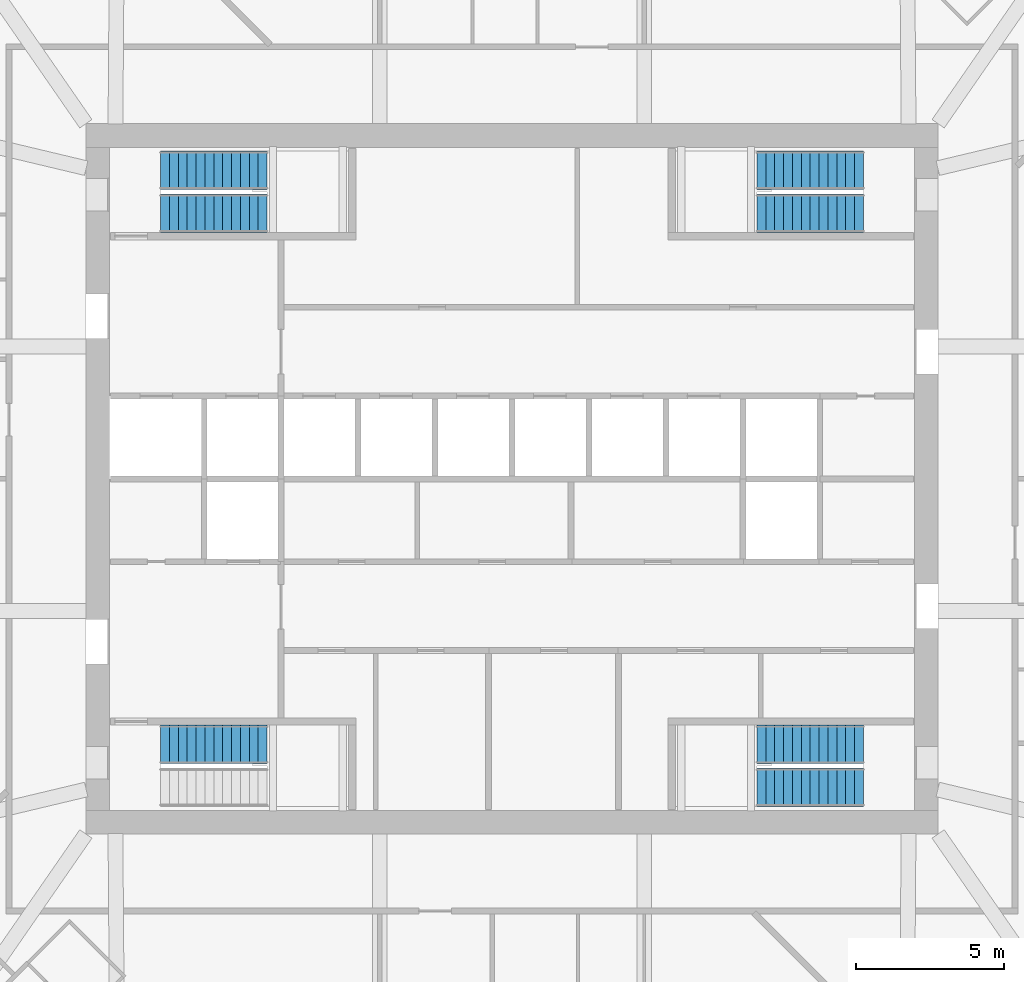
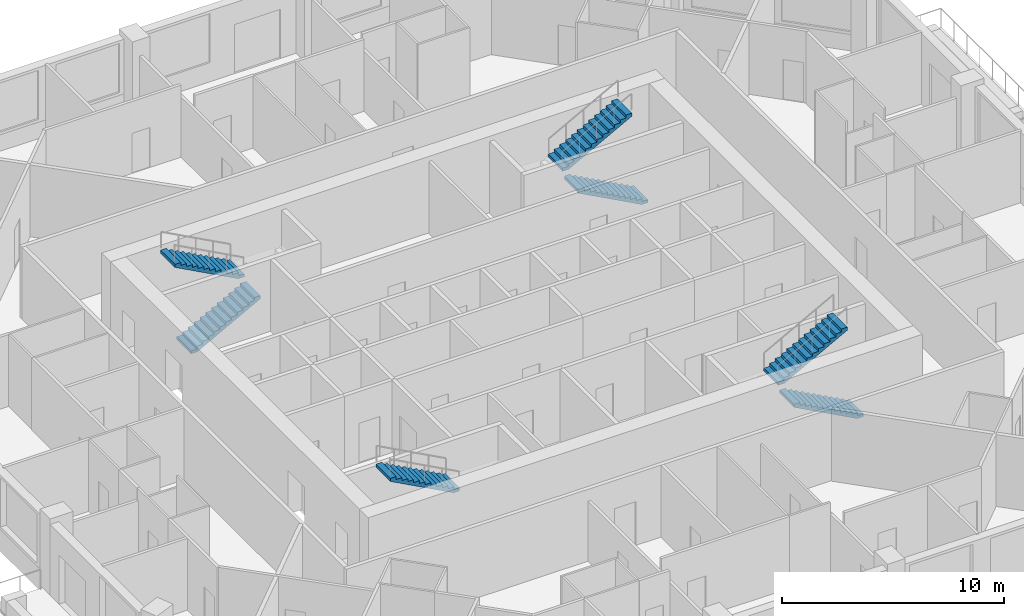
# One storey, part 11 of 13: 7 stair flights, 4 elements without a shape of their own.
"""IFC4 building model written with IfcOpenShell, lengths in metres."""

from ifc_helpers import new_model, si_unit, direction, frame, origin, place, context, subcontext, project, spatial, polyline, outline, extrude, material, type_object, element, aggregate, save


model = new_model("IFC4")

# Units and contexts
model_context = context("Model", 3, precision=1e-05, world=origin(), true_north=direction((0.0, 1.0)))
body_context = subcontext(model_context, "Body", "Model", "MODEL_VIEW")
ifc_project = project(units=[si_unit("LENGTHUNIT", "METRE"), si_unit("AREAUNIT", "SQUARE_METRE"), si_unit("VOLUMEUNIT", "CUBIC_METRE"), si_unit("PLANEANGLEUNIT", "RADIAN"), si_unit("MASSUNIT", "GRAM", prefix="KILO")], contexts=[model_context])

# Site, building, storey
site_placement = place(None, origin())
site = spatial("IfcSite", under=ifc_project, at=site_placement, CompositionType="ELEMENT")
building_placement = place(site_placement, origin())
building = spatial("IfcBuilding", under=site, at=building_placement, Name="Msitu Wima Residences", CompositionType="ELEMENT")
storey_placement = place(building_placement, frame((0.0, 0.0, 140.10009765625)))
storey = spatial("IfcBuildingStorey", under=building, at=storey_placement, Name="L32", CompositionType="ELEMENT", Elevation=140.10009765625)

# Stair, stair flights
ifc_material = material(Name="Concrete C40/50", Category="concrete")
stair_type = type_object("IfcStairType", Name="Exit stair ES1615-130", PredefinedType="HALF_TURN_STAIR", material=ifc_material)
stair_1_placement = place(storey_placement, origin())
stair_1 = element("IfcStair", 1, at=stair_1_placement, inside=storey, type_object=stair_type, Name="Exit stair 1", PredefinedType="HALF_TURN_STAIR")
stair_flight_type = type_object("IfcStairFlightType", Name="Exit stair flight ES1615-130", PredefinedType="STRAIGHT", material=ifc_material)
stair_flight_1_placement = place(storey_placement, frame((-11.875, 8.97509765625, 0.0), z_axis=(0.0, 0.0, 1.0), x_axis=(1.0, 0.0, 0.0)))
stair_flight_1 = element("IfcStairFlight", 2, at=stair_flight_1_placement, type_object=stair_flight_type, Name="S1 flight 1", NumberOfRisers=13, NumberOfTreads=12, PredefinedType="STRAIGHT", RiserHeight=0.161538462, TreadLength=0.3, context=body_context, shape_type="SweptSolid", body=[
    extrude(outline(polyline([(0.0, 0.0), (0.0, 0.16162109375), (0.300048828125, 0.16162109375), (0.300048828125, 0.322998046875), (0.60009765625, 0.322998046875), (0.60009765625, 0.484619140625), (0.89990234375, 0.484619140625), (0.89990234375, 0.646240234375), (1.199951171875, 0.646240234375), (1.199951171875, 0.8076171875), (1.5, 0.8076171875), (1.5, 0.96923828125), (1.800048828125, 0.96923828125), (1.800048828125, 1.130859375), (2.10009765625, 1.130859375), (2.10009765625, 1.292236328125), (2.39990234375, 1.292236328125), (2.39990234375, 1.453857421875), (2.699951171875, 1.453857421875), (2.699951171875, 1.615478515625), (3.0, 1.615478515625), (3.0, 1.77685546875), (3.300048828125, 1.77685546875), (3.300048828125, 1.9384765625), (3.60009765625, 1.9384765625), (3.60009765625, 2.10009765625), (3.60009765625, 1.768310546875), (0.316162109375, 0.0), (0.0, 0.0)])), frame((0.0, 0.64990234375, 0.0), z_axis=(0.0, -1.0, 0.0), x_axis=(1.0, 0.0, 0.0)), (0.0, 0.0, 1.0), 1.300048828125),
])
stair_flight_2_placement = place(storey_placement, frame((-8.27490234375, 10.425048828125, 2.099853515625), z_axis=(0.0, 0.0, 1.0), x_axis=(-1.0, 0.0, 0.0)))
stair_flight_2 = element("IfcStairFlight", 3, at=stair_flight_2_placement, type_object=stair_flight_type, Name="S1 flight 2", NumberOfRisers=13, NumberOfTreads=12, PredefinedType="STRAIGHT", RiserHeight=0.161538462, TreadLength=0.3, context=body_context, shape_type="SweptSolid", body=[
    extrude(outline(polyline([(0.0, 0.0), (0.0, 0.16162109375), (0.300048828125, 0.16162109375), (0.300048828125, 0.322998046875), (0.60009765625, 0.322998046875), (0.60009765625, 0.484619140625), (0.89990234375, 0.484619140625), (0.89990234375, 0.646240234375), (1.199951171875, 0.646240234375), (1.199951171875, 0.8076171875), (1.5, 0.8076171875), (1.5, 0.96923828125), (1.800048828125, 0.96923828125), (1.800048828125, 1.130859375), (2.10009765625, 1.130859375), (2.10009765625, 1.292236328125), (2.39990234375, 1.292236328125), (2.39990234375, 1.453857421875), (2.699951171875, 1.453857421875), (2.699951171875, 1.615478515625), (3.0, 1.615478515625), (3.0, 1.77685546875), (3.300048828125, 1.77685546875), (3.300048828125, 1.9384765625), (3.60009765625, 1.9384765625), (3.60009765625, 2.10009765625), (3.60009765625, 1.768310546875), (0.316162109375, 0.0), (0.0, 0.0)])), frame((0.0, 0.64990234375, 0.0), z_axis=(0.0, -1.0, 0.0), x_axis=(1.0, 0.0, 0.0)), (0.0, 0.0, 1.0), 1.300048828125),
])
aggregate(stair_1, [stair_flight_1, stair_flight_2])

# Stair, stair flight
stair_2_placement = place(storey_placement, origin())
stair_2 = element("IfcStair", 4, at=stair_2_placement, inside=storey, type_object=stair_type, Name="Exit stair 2", PredefinedType="HALF_TURN_STAIR")
stair_flight_3_placement = place(storey_placement, frame((-8.27490234375, -8.97509765625, 2.099853515625), z_axis=(0.0, 0.0, 1.0), x_axis=(-1.0, 0.0, 0.0)))
stair_flight_3 = element("IfcStairFlight", 5, at=stair_flight_3_placement, type_object=stair_flight_type, Name="S2 flight 2", NumberOfRisers=13, NumberOfTreads=12, PredefinedType="STRAIGHT", RiserHeight=0.161538462, TreadLength=0.3, context=body_context, shape_type="SweptSolid", body=[
    extrude(outline(polyline([(0.0, 0.0), (0.0, 0.16162109375), (0.300048828125, 0.16162109375), (0.300048828125, 0.322998046875), (0.60009765625, 0.322998046875), (0.60009765625, 0.484619140625), (0.89990234375, 0.484619140625), (0.89990234375, 0.646240234375), (1.199951171875, 0.646240234375), (1.199951171875, 0.8076171875), (1.5, 0.8076171875), (1.5, 0.96923828125), (1.800048828125, 0.96923828125), (1.800048828125, 1.130859375), (2.10009765625, 1.130859375), (2.10009765625, 1.292236328125), (2.39990234375, 1.292236328125), (2.39990234375, 1.453857421875), (2.699951171875, 1.453857421875), (2.699951171875, 1.615478515625), (3.0, 1.615478515625), (3.0, 1.77685546875), (3.300048828125, 1.77685546875), (3.300048828125, 1.9384765625), (3.60009765625, 1.9384765625), (3.60009765625, 2.10009765625), (3.60009765625, 1.768310546875), (0.316162109375, 0.0), (0.0, 0.0)])), frame((0.0, 0.64990234375, 0.0), z_axis=(0.0, -1.0, 0.0), x_axis=(1.0, 0.0, 0.0)), (0.0, 0.0, 1.0), 1.300048828125),
])
aggregate(stair_2, [stair_flight_3])

# Stair, stair flights
stair_3_placement = place(storey_placement, origin())
stair_3 = element("IfcStair", 6, at=stair_3_placement, inside=storey, type_object=stair_type, Name="Exit stair 3", PredefinedType="HALF_TURN_STAIR")
stair_flight_4_placement = place(storey_placement, frame((11.875, 8.97509765625, 0.0), z_axis=(0.0, 0.0, 1.0), x_axis=(-1.0, 0.0, 0.0)))
stair_flight_4 = element("IfcStairFlight", 7, at=stair_flight_4_placement, type_object=stair_flight_type, Name="S3 flight 1", NumberOfRisers=13, NumberOfTreads=12, PredefinedType="STRAIGHT", RiserHeight=0.161538462, TreadLength=0.3, context=body_context, shape_type="SweptSolid", body=[
    extrude(outline(polyline([(0.0, 0.0), (0.0, 0.16162109375), (0.300048828125, 0.16162109375), (0.300048828125, 0.322998046875), (0.60009765625, 0.322998046875), (0.60009765625, 0.484619140625), (0.89990234375, 0.484619140625), (0.89990234375, 0.646240234375), (1.199951171875, 0.646240234375), (1.199951171875, 0.8076171875), (1.5, 0.8076171875), (1.5, 0.96923828125), (1.800048828125, 0.96923828125), (1.800048828125, 1.130859375), (2.10009765625, 1.130859375), (2.10009765625, 1.292236328125), (2.39990234375, 1.292236328125), (2.39990234375, 1.453857421875), (2.699951171875, 1.453857421875), (2.699951171875, 1.615478515625), (3.0, 1.615478515625), (3.0, 1.77685546875), (3.300048828125, 1.77685546875), (3.300048828125, 1.9384765625), (3.60009765625, 1.9384765625), (3.60009765625, 2.10009765625), (3.60009765625, 1.768310546875), (0.316162109375, 0.0), (0.0, 0.0)])), frame((0.0, 0.64990234375, 0.0), z_axis=(0.0, -1.0, 0.0), x_axis=(1.0, 0.0, 0.0)), (0.0, 0.0, 1.0), 1.300048828125),
])
stair_flight_5_placement = place(storey_placement, frame((8.27490234375, 10.425048828125, 2.099853515625), z_axis=(0.0, 0.0, 1.0), x_axis=(1.0, 0.0, 0.0)))
stair_flight_5 = element("IfcStairFlight", 8, at=stair_flight_5_placement, type_object=stair_flight_type, Name="S3 flight 2", NumberOfRisers=13, NumberOfTreads=12, PredefinedType="STRAIGHT", RiserHeight=0.161538462, TreadLength=0.3, context=body_context, shape_type="SweptSolid", body=[
    extrude(outline(polyline([(0.0, 0.0), (0.0, 0.16162109375), (0.300048828125, 0.16162109375), (0.300048828125, 0.322998046875), (0.60009765625, 0.322998046875), (0.60009765625, 0.484619140625), (0.89990234375, 0.484619140625), (0.89990234375, 0.646240234375), (1.199951171875, 0.646240234375), (1.199951171875, 0.8076171875), (1.5, 0.8076171875), (1.5, 0.96923828125), (1.800048828125, 0.96923828125), (1.800048828125, 1.130859375), (2.10009765625, 1.130859375), (2.10009765625, 1.292236328125), (2.39990234375, 1.292236328125), (2.39990234375, 1.453857421875), (2.699951171875, 1.453857421875), (2.699951171875, 1.615478515625), (3.0, 1.615478515625), (3.0, 1.77685546875), (3.300048828125, 1.77685546875), (3.300048828125, 1.9384765625), (3.60009765625, 1.9384765625), (3.60009765625, 2.10009765625), (3.60009765625, 1.768310546875), (0.316162109375, 0.0), (0.0, 0.0)])), frame((0.0, 0.64990234375, 0.0), z_axis=(0.0, -1.0, 0.0), x_axis=(1.0, 0.0, 0.0)), (0.0, 0.0, 1.0), 1.300048828125),
])
aggregate(stair_3, [stair_flight_4, stair_flight_5])

stair_4_placement = place(storey_placement, origin())
stair_4 = element("IfcStair", 9, at=stair_4_placement, inside=storey, type_object=stair_type, Name="Exit stair 4", PredefinedType="HALF_TURN_STAIR")
stair_flight_6_placement = place(storey_placement, frame((11.875, -10.425048828125, 0.0), z_axis=(0.0, 0.0, 1.0), x_axis=(-1.0, 0.0, 0.0)))
stair_flight_6 = element("IfcStairFlight", 10, at=stair_flight_6_placement, type_object=stair_flight_type, Name="S4 flight 1", NumberOfRisers=13, NumberOfTreads=12, PredefinedType="STRAIGHT", RiserHeight=0.161538462, TreadLength=0.3, context=body_context, shape_type="SweptSolid", body=[
    extrude(outline(polyline([(0.0, 0.0), (0.0, 0.16162109375), (0.300048828125, 0.16162109375), (0.300048828125, 0.322998046875), (0.60009765625, 0.322998046875), (0.60009765625, 0.484619140625), (0.89990234375, 0.484619140625), (0.89990234375, 0.646240234375), (1.199951171875, 0.646240234375), (1.199951171875, 0.8076171875), (1.5, 0.8076171875), (1.5, 0.96923828125), (1.800048828125, 0.96923828125), (1.800048828125, 1.130859375), (2.10009765625, 1.130859375), (2.10009765625, 1.292236328125), (2.39990234375, 1.292236328125), (2.39990234375, 1.453857421875), (2.699951171875, 1.453857421875), (2.699951171875, 1.615478515625), (3.0, 1.615478515625), (3.0, 1.77685546875), (3.300048828125, 1.77685546875), (3.300048828125, 1.9384765625), (3.60009765625, 1.9384765625), (3.60009765625, 2.10009765625), (3.60009765625, 1.768310546875), (0.316162109375, 0.0), (0.0, 0.0)])), frame((0.0, 0.64990234375, 0.0), z_axis=(0.0, -1.0, 0.0), x_axis=(1.0, 0.0, 0.0)), (0.0, 0.0, 1.0), 1.300048828125),
])
stair_flight_7_placement = place(storey_placement, frame((8.27490234375, -8.97509765625, 2.099853515625), z_axis=(0.0, 0.0, 1.0), x_axis=(1.0, 0.0, 0.0)))
stair_flight_7 = element("IfcStairFlight", 11, at=stair_flight_7_placement, type_object=stair_flight_type, Name="S4 flight 2", NumberOfRisers=13, NumberOfTreads=12, PredefinedType="STRAIGHT", RiserHeight=0.161538462, TreadLength=0.3, context=body_context, shape_type="SweptSolid", body=[
    extrude(outline(polyline([(0.0, 0.0), (0.0, 0.16162109375), (0.300048828125, 0.16162109375), (0.300048828125, 0.322998046875), (0.60009765625, 0.322998046875), (0.60009765625, 0.484619140625), (0.89990234375, 0.484619140625), (0.89990234375, 0.646240234375), (1.199951171875, 0.646240234375), (1.199951171875, 0.8076171875), (1.5, 0.8076171875), (1.5, 0.96923828125), (1.800048828125, 0.96923828125), (1.800048828125, 1.130859375), (2.10009765625, 1.130859375), (2.10009765625, 1.292236328125), (2.39990234375, 1.292236328125), (2.39990234375, 1.453857421875), (2.699951171875, 1.453857421875), (2.699951171875, 1.615478515625), (3.0, 1.615478515625), (3.0, 1.77685546875), (3.300048828125, 1.77685546875), (3.300048828125, 1.9384765625), (3.60009765625, 1.9384765625), (3.60009765625, 2.10009765625), (3.60009765625, 1.768310546875), (0.316162109375, 0.0), (0.0, 0.0)])), frame((0.0, 0.64990234375, 0.0), z_axis=(0.0, -1.0, 0.0), x_axis=(1.0, 0.0, 0.0)), (0.0, 0.0, 1.0), 1.300048828125),
])
aggregate(stair_4, [stair_flight_6, stair_flight_7])

save(model, "model.ifc")
